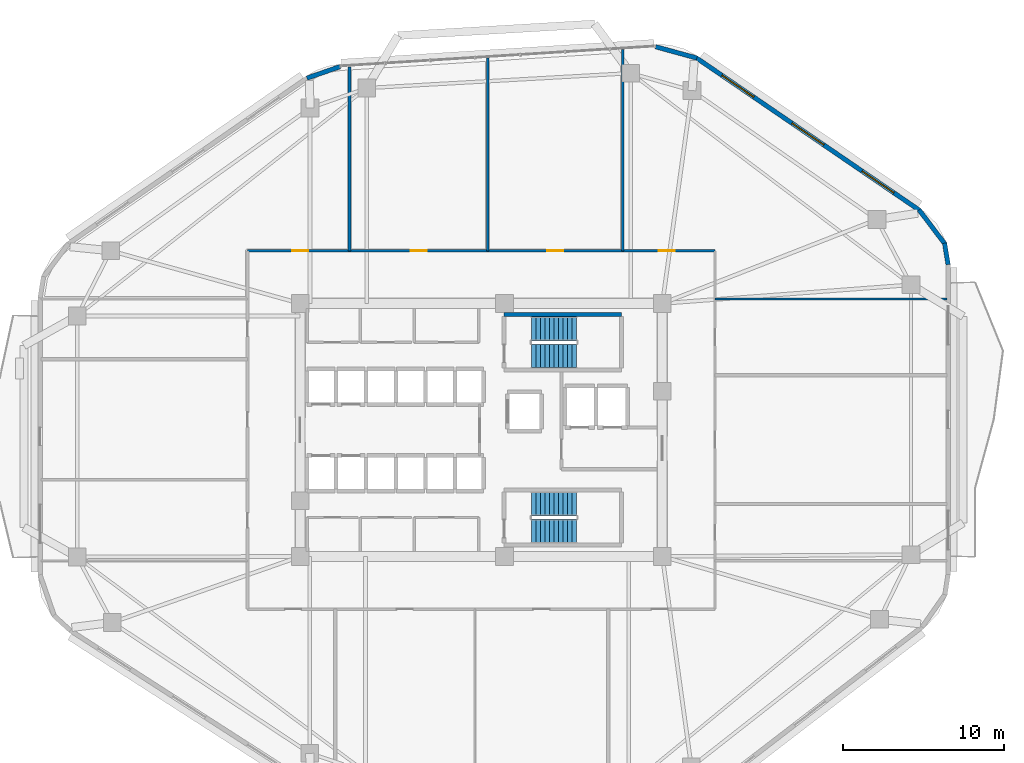
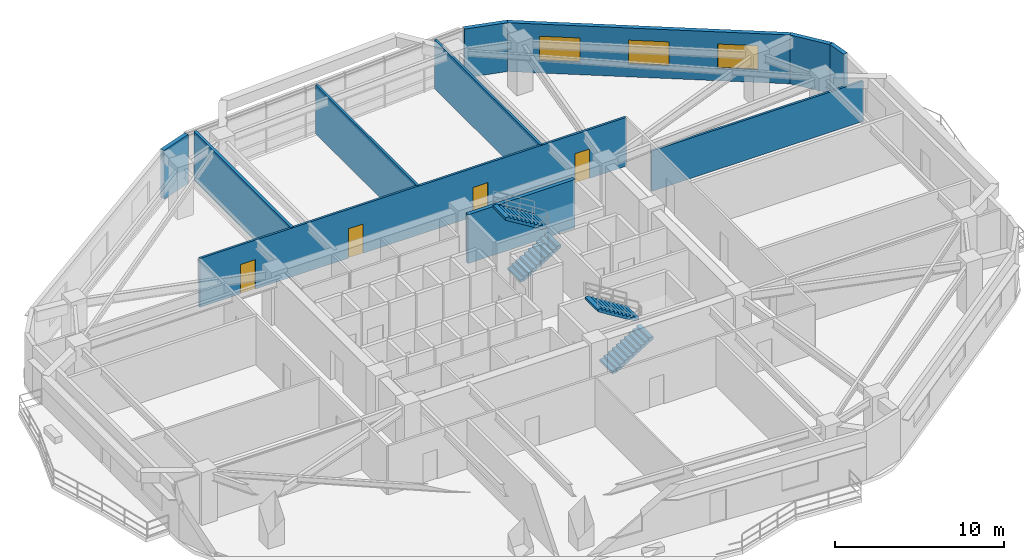
# One storey, part 10 of 13: 11 walls, 4 doors, 4 stair flights, 3 windows, 7 openings, 2 elements without a shape of their own.
"""IFC4 building model written with IfcOpenShell, lengths in metres."""

import ifcopenshell
import ifcopenshell.guid

model = None  # the IFC model being written
_history = None  # IfcOwnerHistory: only IFC2X3 demands one
_inside = {}  # id of a spatial element -> (the spatial element, [elements in it])
_under = {}  # id of a project, library or spatial element -> (it, [spatial elements below it])
_declared = {}  # id of a project -> (the project, [libraries it declares])
_typed = {}  # id of a type object -> (the type object, [elements of that type])
_made_of = {}  # id of a material, layer set ... -> (it, [elements and type objects made of it])


def new_model(schema):
    """Start an empty IFC model of exactly this schema.

    Asked for "IFC4X3", IfcOpenShell would pick the latest addendum, in which some entities
    have other attributes; the version numbers below select the first issue.
    IFC2X3 requires an IfcOwnerHistory on every rooted entity: one is made here for all.
    """
    global model, _history
    if schema == "IFC4X3":
        model = ifcopenshell.file(schema_version=(4, 3, 0, 0))
    else:
        model = ifcopenshell.file(schema=schema)
    _inside.clear()
    _under.clear()
    _declared.clear()
    _typed.clear()
    _made_of.clear()
    _history = None
    if model.schema == "IFC2X3":
        org = make("IfcOrganization", Name="unknown")
        user = make(
            "IfcPersonAndOrganization",
            ThePerson=make("IfcPerson", FamilyName="unknown"),
            TheOrganization=org,
        )
        app = make(
            "IfcApplication",
            ApplicationDeveloper=org,
            Version="unknown",
            ApplicationFullName="unknown",
            ApplicationIdentifier="unknown",
        )
        _history = make(
            "IfcOwnerHistory",
            OwningUser=user,
            OwningApplication=app,
            ChangeAction="ADDED",
            CreationDate=0,
        )
    return model


def make(cls, **values):
    """One entity of the class cls with the attributes given. An attribute that is None is left unset."""
    return model.create_entity(
        cls, **{name: value for name, value in values.items() if value is not None}
    )


def rooted(cls, **values):
    """An entity with a GlobalId (a new one), such as an element, a storey or a relation."""
    return make(cls, GlobalId=ifcopenshell.guid.new(), OwnerHistory=_history, **values)


def si_unit(unit_type, name, prefix=None):
    """IfcSIUnit, for example si_unit("LENGTHUNIT", "METRE", prefix="MILLI")."""
    return make("IfcSIUnit", UnitType=unit_type, Prefix=prefix, Name=name)


def assignment(units):
    """IfcUnitAssignment: the units of a project."""
    return None if units is None else make("IfcUnitAssignment", Units=units)


def point(xyz):
    """IfcCartesianPoint."""
    return None if xyz is None else make("IfcCartesianPoint", Coordinates=xyz)


def direction(xyz):
    """IfcDirection."""
    return None if xyz is None else make("IfcDirection", DirectionRatios=xyz)


def frame(location, z_axis=None, x_axis=None):
    """IfcAxis2Placement3D, a coordinate frame: its origin and axes. An axis left out is left unset."""
    return make(
        "IfcAxis2Placement3D",
        Location=point(location),
        Axis=direction(z_axis),
        RefDirection=direction(x_axis),
    )


def frame_2d(location, x_axis=None):
    """IfcAxis2Placement2D, a coordinate frame in the plane: its origin and x axis."""
    return make(
        "IfcAxis2Placement2D", Location=point(location), RefDirection=direction(x_axis)
    )


def origin():
    """The frame at (0, 0, 0) with its axes left unset."""
    return frame((0.0, 0.0, 0.0))


def place(relative_to, where):
    """IfcLocalPlacement: puts the frame where relative to a parent placement (None: the world)."""
    return make(
        "IfcLocalPlacement", PlacementRelTo=relative_to, RelativePlacement=where
    )


def context(
    kind, dimensions, precision=None, world=None, true_north=None, identifier=None
):
    """IfcGeometricRepresentationContext, for example the 3D "Model" context."""
    return make(
        "IfcGeometricRepresentationContext",
        ContextIdentifier=identifier,
        ContextType=kind,
        CoordinateSpaceDimension=dimensions,
        Precision=precision,
        WorldCoordinateSystem=world,
        TrueNorth=true_north,
    )


def subcontext(parent, identifier, kind, view, scale=None):
    """IfcGeometricRepresentationSubContext, for example "Body" below "Model"."""
    return make(
        "IfcGeometricRepresentationSubContext",
        ContextIdentifier=identifier,
        ContextType=kind,
        ParentContext=parent,
        TargetScale=scale,
        TargetView=view,
    )


def project(units=None, contexts=None):
    """IfcProject with its units and contexts."""
    return rooted(
        "IfcProject",
        Name="project",
        RepresentationContexts=contexts,
        UnitsInContext=assignment(units),
    )


def spatial(cls, under=None, at=None, **own):
    """A site, building, storey or space (cls), placed at a placement, below another one or the project."""
    s = rooted(cls, ObjectPlacement=at, **own)
    if under is not None:
        _under.setdefault(under.id(), (under, []))[1].append(s)
    return s


def polyline(points):
    """IfcPolyline through the points."""
    return make("IfcPolyline", Points=[point(p) for p in points])


def profile(cls, at=None, kind="AREA", **sizes):
    """A parametric profile (cls). Its sizes go by their IFC names, for example OverallWidth=200.0."""
    return make(cls, ProfileType=kind, Position=at, **sizes)


def rectangle(**sizes):
    """IfcRectangleProfileDef."""
    return profile("IfcRectangleProfileDef", **sizes)


def outline(outer, holes=None, kind="AREA"):
    """IfcArbitraryClosedProfileDef: a profile drawn as a closed curve; with holes, ...WithVoids."""
    if holes is None:
        return make("IfcArbitraryClosedProfileDef", ProfileType=kind, OuterCurve=outer)
    return make(
        "IfcArbitraryProfileDefWithVoids",
        ProfileType=kind,
        OuterCurve=outer,
        InnerCurves=holes,
    )


def extrude(swept, where, along, depth):
    """IfcExtrudedAreaSolid: the profile swept, set in the frame where, extruded along a direction by depth."""
    return make(
        "IfcExtrudedAreaSolid",
        SweptArea=swept,
        Position=where,
        ExtrudedDirection=direction(along),
        Depth=depth,
    )


def shape(context_of_items, identifier, shape_type, items):
    """IfcShapeRepresentation: the items that make up one representation, for example the "Body"."""
    return make(
        "IfcShapeRepresentation",
        ContextOfItems=context_of_items,
        RepresentationIdentifier=identifier,
        RepresentationType=shape_type,
        Items=items,
    )


def material(Name=None, Category=None):
    """IfcMaterial."""
    return make("IfcMaterial", Name=Name, Category=Category)


def layer(
    of_material, thickness, ventilated=None, Name=None, Category=None, Priority=None
):
    """IfcMaterialLayer: one layer of a wall or slab, of a material (None: an air gap)."""
    return make(
        "IfcMaterialLayer",
        Material=of_material,
        LayerThickness=thickness,
        IsVentilated=ventilated,
        Name=Name,
        Category=Category,
        Priority=Priority,
    )


def layer_set(layers, Name=None):
    """IfcMaterialLayerSet."""
    return make("IfcMaterialLayerSet", MaterialLayers=layers, LayerSetName=Name)


def made_of(thing, what):
    """Note that an element or type object is made of a material, layer set ...; save() writes the relation."""
    if what is not None:
        _made_of.setdefault(what.id(), (what, []))[1].append(thing)
    return thing


def type_object(cls, material=None, **own):
    """A type object (cls), such as IfcWallType, which elements share."""
    return made_of(rooted(cls, **own), material)


def element(
    cls,
    number,
    at=None,
    inside=None,
    cuts=None,
    type_object=None,
    material=None,
    context=None,
    identifier="Body",
    shape_type=None,
    held_by="IfcProductDefinitionShape",
    body=None,
    shapes=None,
    **own,
):
    """One element of the class cls, such as IfcWall. Its Tag is "e" and its number.

    at: its placement. inside: the storey or other place that contains it. cuts: it is an
    opening in that element (IfcRelVoidsElement). A single representation is given by context,
    identifier, shape_type and body (its items); several are given by shapes. held_by: the class
    of the entity that holds the representations. save() writes the other relations.
    """
    e = rooted(cls, Tag="e%d" % number, ObjectPlacement=at, **own)
    if body is not None:
        shapes = [shape(context, identifier, shape_type, body)]
    if shapes is not None:
        e.Representation = make(held_by, Representations=shapes)
    if inside is not None:
        _inside.setdefault(inside.id(), (inside, []))[1].append(e)
    if cuts is not None:
        rooted(
            "IfcRelVoidsElement", RelatingBuildingElement=cuts, RelatedOpeningElement=e
        )
    if type_object is not None:
        _typed.setdefault(type_object.id(), (type_object, []))[1].append(e)
    return made_of(e, material)


def fill(opening, filler):
    """IfcRelFillsElement: the door or window that sits in an opening."""
    return rooted(
        "IfcRelFillsElement",
        RelatingOpeningElement=opening,
        RelatedBuildingElement=filler,
    )


def aggregate(whole, parts):
    """IfcRelAggregates: a whole, such as a stair, and the parts it consists of."""
    return rooted("IfcRelAggregates", RelatingObject=whole, RelatedObjects=parts)


def save(model, path):
    """Write the relations noted so far, then the file.

    IfcRelAggregates (storeys below a building ...), IfcRelContainedInSpatialStructure (elements
    in a storey), IfcRelDefinesByType, IfcRelAssociatesMaterial and IfcRelDeclares: one each for
    every whole, place, type object, material and project.
    """
    for whole, parts in _under.values():
        aggregate(whole, parts)
    for where, things in _inside.values():
        rooted(
            "IfcRelContainedInSpatialStructure",
            RelatedElements=things,
            RelatingStructure=where,
        )
    for kind, things in _typed.values():
        rooted("IfcRelDefinesByType", RelatedObjects=things, RelatingType=kind)
    for what, things in _made_of.values():
        rooted("IfcRelAssociatesMaterial", RelatedObjects=things, RelatingMaterial=what)
    for by, libraries in _declared.values():
        rooted("IfcRelDeclares", RelatingContext=by, RelatedDefinitions=libraries)
    model.write(path)


model = new_model("IFC4")

# Units and contexts
model_context = context("Model", 3, precision=1e-05, world=origin(), true_north=direction((0.0, 1.0)))
body_context = subcontext(model_context, "Body", "Model", "MODEL_VIEW")
ifc_project = project(units=[si_unit("LENGTHUNIT", "METRE"), si_unit("AREAUNIT", "SQUARE_METRE"), si_unit("VOLUMEUNIT", "CUBIC_METRE"), si_unit("PLANEANGLEUNIT", "RADIAN"), si_unit("MASSUNIT", "GRAM", prefix="KILO")], contexts=[model_context])

# Site, building, storey
site_placement = place(None, origin())
site = spatial("IfcSite", under=ifc_project, at=site_placement, CompositionType="ELEMENT")
building_placement = place(site_placement, origin())
building = spatial("IfcBuilding", under=site, at=building_placement, Name="Zulverin Broadcast Headquarters", CompositionType="ELEMENT")
storey_placement = place(building_placement, frame((0.0, 0.0, 101.0)))
storey = spatial("IfcBuildingStorey", under=building, at=storey_placement, Name="L25", CompositionType="ELEMENT", Elevation=101.0)

# Wall
ifc_material_1 = material(Name="Acoustic drywall steel stud", Category="steel")
ifc_layer_1 = layer(ifc_material_1, 0.199951171875, Name="Acoustic drywall steel stud", Category="steel")
ifc_layer_set_1 = layer_set([ifc_layer_1], Name="Acoustic drywall steel stud")
wall_type_1 = type_object("IfcWallType", Name="WL-ACOU-200", PredefinedType="PARTITIONING", material=ifc_layer_set_1)
wall_1_placement = place(storey_placement, frame((28.800048828125, 36.35009765625, 0.0), z_axis=(0.0, 0.0, 1.0), x_axis=(0.0, 1.0, 0.0)))
element("IfcWall", 1, at=wall_1_placement, inside=storey, type_object=wall_type_1, Name="L25 Room Partition Wall RP-06", PredefinedType="PARTITIONING", context=body_context, shape_type="SweptSolid", body=[
    extrude(rectangle(XDim=11.454345703125, YDim=0.199951171875, at=frame_2d((5.72705078125, 0.0))), origin(), (0.0, 0.0, 1.0), 3.52490234375),
])

# Wall, openings, windows
ifc_material_2 = material(Name="Insulated pale-metal clad concrete spandrel C40/50", Category="concrete")
ifc_layer_2 = layer(ifc_material_2, 0.280029296875, Name="Insulated pale-metal clad concrete spandrel C40/50", Category="concrete")
ifc_layer_set_2 = layer_set([ifc_layer_2], Name="Insulated pale-metal clad concrete spandrel C40/50")
wall_type_2 = type_object("IfcWallType", Name="WL-EXT-280", PredefinedType="STANDARD", material=ifc_layer_set_2)
wall_2_placement = place(storey_placement, frame((64.289794921875, 38.8671875, 0.0), z_axis=(0.0, 0.0, 1.0), x_axis=(-0.825755550159, 0.564028165416, 0.0)))
wall_2 = element("IfcWall", 2, at=wall_2_placement, inside=storey, type_object=wall_type_2, Name="L25 Pale-Metal Clad Spandrel Wall 4", PredefinedType="STANDARD", context=body_context, shape_type="SweptSolid", body=[
    extrude(rectangle(XDim=16.848388671875, YDim=0.280029296875, at=frame_2d((8.42431640625, 0.0))), origin(), (0.0, 0.0, 1.0), 3.52490234375),
])
opening_1_placement = place(wall_2_placement, frame((1.94140625, 0.0, 0.89990234375)))
opening_1 = element("IfcOpeningElement", 3, at=opening_1_placement, cuts=wall_2, Name="Opening W-L25-E41", PredefinedType="OPENING", context=body_context, shape_type="SweptSolid", body=[
    extrude(rectangle(XDim=2.39990234375, YDim=1.75, at=frame_2d((1.199951171875, 0.875))), frame((0.0, 0.14990234375, 0.0), z_axis=(0.0, -1.0, 0.0), x_axis=(1.0, 0.0, 0.0)), (0.0, 0.0, 1.0), 0.300048828125),
])
opening_2_placement = place(wall_2_placement, frame((7.22412109375, 0.0, 0.89990234375)))
opening_2 = element("IfcOpeningElement", 4, at=opening_2_placement, cuts=wall_2, Name="Opening W-L25-E42", PredefinedType="OPENING", context=body_context, shape_type="SweptSolid", body=[
    extrude(rectangle(XDim=2.39990234375, YDim=1.75, at=frame_2d((1.199951171875, 0.875))), frame((0.0, 0.14990234375, 0.0), z_axis=(0.0, -1.0, 0.0), x_axis=(1.0, 0.0, 0.0)), (0.0, 0.0, 1.0), 0.300048828125),
])
opening_3_placement = place(wall_2_placement, frame((12.5068359375, 0.0, 0.89990234375)))
opening_3 = element("IfcOpeningElement", 5, at=opening_3_placement, cuts=wall_2, Name="Opening W-L25-E43", PredefinedType="OPENING", context=body_context, shape_type="SweptSolid", body=[
    extrude(rectangle(XDim=2.39990234375, YDim=1.75, at=frame_2d((1.199951171875, 0.875))), frame((0.0, 0.14990234375, 0.0), z_axis=(0.0, -1.0, 0.0), x_axis=(1.0, 0.0, 0.0)), (0.0, 0.0, 1.0), 0.300048828125),
])
ifc_material_3 = material(Name="Pale anodized aluminium frame with solar-control low-E double glazing", Category="aluminium")
window_type = type_object("IfcWindowType", Name="WIN-RIB-2400", PartitioningType="SINGLE_PANEL", PredefinedType="WINDOW", material=ifc_material_3)
window_1_placement = place(opening_1_placement, origin())
window_1 = element("IfcWindow", 6, at=window_1_placement, inside=storey, type_object=window_type, Name="L25 Ribbon Glazing Window 4 1", OverallHeight=1.75, OverallWidth=2.39990234375, PartitioningType="SINGLE_PANEL", PredefinedType="WINDOW", context=body_context, shape_type="SweptSolid", body=[
    extrude(rectangle(XDim=2.39990234375, YDim=1.75, at=frame_2d((1.199951171875, 0.875))), frame((0.0, 0.030029296875, 0.0), z_axis=(0.0, -1.0, 0.0), x_axis=(1.0, 0.0, 0.0)), (0.0, 0.0, 1.0), 0.06005859375),
])
fill(opening_1, window_1)
window_2_placement = place(opening_2_placement, origin())
window_2 = element("IfcWindow", 7, at=window_2_placement, inside=storey, type_object=window_type, Name="L25 Ribbon Glazing Window 4 2", OverallHeight=1.75, OverallWidth=2.39990234375, PartitioningType="SINGLE_PANEL", PredefinedType="WINDOW", context=body_context, shape_type="SweptSolid", body=[
    extrude(rectangle(XDim=2.39990234375, YDim=1.75, at=frame_2d((1.199951171875, 0.875))), frame((0.0, 0.030029296875, 0.0), z_axis=(0.0, -1.0, 0.0), x_axis=(1.0, 0.0, 0.0)), (0.0, 0.0, 1.0), 0.06005859375),
])
fill(opening_2, window_2)
window_3_placement = place(opening_3_placement, origin())
window_3 = element("IfcWindow", 8, at=window_3_placement, inside=storey, type_object=window_type, Name="L25 Ribbon Glazing Window 4 3", OverallHeight=1.75, OverallWidth=2.39990234375, PartitioningType="SINGLE_PANEL", PredefinedType="WINDOW", context=body_context, shape_type="SweptSolid", body=[
    extrude(rectangle(XDim=2.39990234375, YDim=1.75, at=frame_2d((1.199951171875, 0.875))), frame((0.0, 0.030029296875, 0.0), z_axis=(0.0, -1.0, 0.0), x_axis=(1.0, 0.0, 0.0)), (0.0, 0.0, 1.0), 0.06005859375),
])
fill(opening_3, window_3)

# Walls
wall_3_placement = place(storey_placement, frame((66.061767578125, 35.491943359375, 0.0), z_axis=(0.0, 0.0, 1.0), x_axis=(-0.161182073582, 0.986924687682, 0.0)))
element("IfcWall", 9, at=wall_3_placement, inside=storey, type_object=wall_type_2, Name="L25 Wind-Shaped Corner Spandrel Wall 3-1", PredefinedType="STANDARD", context=body_context, shape_type="SweptSolid", body=[
    extrude(rectangle(XDim=1.354248046875, YDim=0.280029296875, at=frame_2d((0.67724609375, 0.0))), origin(), (0.0, 0.0, 1.0), 3.52490234375),
])
wall_4_placement = place(storey_placement, frame((65.8701171875, 36.7666015625, 0.0), z_axis=(0.0, 0.0, 1.0), x_axis=(-0.603370463754, 0.797461023166, 0.0)))
element("IfcWall", 10, at=wall_4_placement, inside=storey, type_object=wall_type_2, Name="L25 Wind-Shaped Corner Spandrel Wall 3-2", PredefinedType="STANDARD", context=body_context, shape_type="SweptSolid", body=[
    extrude(rectangle(XDim=2.6728515625, YDim=0.280029296875, at=frame_2d((1.33642578125, 0.0))), origin(), (0.0, 0.0, 1.0), 3.52490234375),
])
wall_5_placement = place(storey_placement, frame((50.419189453125, 48.3505859375, 0.0), z_axis=(0.0, 0.0, 1.0), x_axis=(-0.964263320055, 0.264945748402, 0.0)))
element("IfcWall", 11, at=wall_5_placement, inside=storey, type_object=wall_type_2, Name="L25 Wind-Shaped Corner Spandrel Wall 4-1", PredefinedType="STANDARD", context=body_context, shape_type="SweptSolid", body=[
    extrude(rectangle(XDim=2.665771484375, YDim=0.280029296875, at=frame_2d((1.3330078125, 0.0))), origin(), (0.0, 0.0, 1.0), 3.52490234375),
])
wall_6_placement = place(storey_placement, frame((28.217041015625, 47.820068359375, 0.0), z_axis=(0.0, 0.0, 1.0), x_axis=(-0.944478751803, -0.328572499447, 0.0)))
element("IfcWall", 12, at=wall_6_placement, inside=storey, type_object=wall_type_2, Name="L25 Wind-Shaped Corner Spandrel Wall 5-1", PredefinedType="STANDARD", context=body_context, shape_type="SweptSolid", body=[
    extrude(rectangle(XDim=2.1904296875, YDim=0.280029296875, at=frame_2d((1.09521484375, 0.0))), origin(), (0.0, 0.0, 1.0), 3.52490234375),
])
ifc_material_4 = material(Name="Fire-rated gypsum stud partition", Category="gypsum")
ifc_layer_3 = layer(ifc_material_4, 0.14990234375, Name="Fire-rated gypsum stud partition", Category="gypsum")
ifc_layer_set_3 = layer_set([ifc_layer_3], Name="Fire-rated gypsum stud partition")
wall_type_3 = type_object("IfcWallType", Name="WL-PART-150", PredefinedType="PARTITIONING", material=ifc_layer_set_3)
wall_7_placement = place(storey_placement, frame((45.800048828125, 36.35009765625, 0.0), z_axis=(0.0, 0.0, 1.0), x_axis=(0.0, 1.0, 0.0)))
element("IfcWall", 13, at=wall_7_placement, inside=storey, type_object=wall_type_3, Name="L25 Room Partition Wall RP-02", PredefinedType="PARTITIONING", context=body_context, shape_type="SweptSolid", body=[
    extrude(rectangle(XDim=12.5263671875, YDim=0.14990234375, at=frame_2d((6.26318359375, 0.0))), origin(), (0.0, 0.0, 1.0), 3.52490234375),
])
wall_8_placement = place(storey_placement, frame((37.39990234375, 36.35009765625, 0.0), z_axis=(0.0, 0.0, 1.0), x_axis=(0.0, 1.0, 0.0)))
element("IfcWall", 14, at=wall_8_placement, inside=storey, type_object=wall_type_3, Name="L25 Room Partition Wall RP-04", PredefinedType="PARTITIONING", context=body_context, shape_type="SweptSolid", body=[
    extrude(rectangle(XDim=11.99658203125, YDim=0.14990234375, at=frame_2d((5.998291015625, 0.0))), origin(), (0.0, 0.0, 1.0), 3.52490234375),
])
wall_9_placement = place(storey_placement, frame((51.550048828125, 33.35009765625, 0.0), z_axis=(0.0, 0.0, 1.0), x_axis=(1.0, 0.0, 0.0)))
element("IfcWall", 15, at=wall_9_placement, inside=storey, type_object=wall_type_3, Name="L25 Room Partition Wall RP-17", PredefinedType="PARTITIONING", context=body_context, shape_type="SweptSolid", body=[
    extrude(rectangle(XDim=14.445068359375, YDim=0.14990234375, at=frame_2d((7.22265625, 0.0))), origin(), (0.0, 0.0, 1.0), 2.90771484375),
])

# Wall, openings, doors
wall_10_placement = place(storey_placement, frame((22.449951171875, 36.35009765625, 0.0), z_axis=(0.0, 0.0, 1.0), x_axis=(1.0, 0.0, 0.0)))
wall_10 = element("IfcWall", 16, at=wall_10_placement, inside=storey, type_object=wall_type_3, Name="L25 Gallery Partition Wall CG-18", PredefinedType="PARTITIONING", context=body_context, shape_type="SweptSolid", body=[
    extrude(rectangle(XDim=29.10009765625, YDim=0.14990234375, at=frame_2d((14.550048828125, 0.0))), origin(), (0.0, 0.0, 1.0), 3.52490234375),
])
opening_4_placement = place(wall_10_placement, frame((2.794921875, 0.0, 0.0)))
opening_4 = element("IfcOpeningElement", 17, at=opening_4_placement, cuts=wall_10, Name="Opening D-L25-01", PredefinedType="OPENING", context=body_context, shape_type="SweptSolid", body=[
    extrude(rectangle(XDim=1.0, YDim=2.1201171875, at=frame_2d((0.5, 1.06005859375))), frame((0.0, 0.0849609375, 0.0), z_axis=(0.0, -1.0, 0.0), x_axis=(1.0, 0.0, 0.0)), (0.0, 0.0, 1.0), 0.169921875),
])
opening_5_placement = place(wall_10_placement, frame((10.14990234375, 0.0, 0.0)))
opening_5 = element("IfcOpeningElement", 18, at=opening_5_placement, cuts=wall_10, Name="Opening D-L25-02", PredefinedType="OPENING", context=body_context, shape_type="SweptSolid", body=[
    extrude(rectangle(XDim=1.0, YDim=2.1201171875, at=frame_2d((0.5, 1.06005859375))), frame((0.0, 0.0849609375, 0.0), z_axis=(0.0, -1.0, 0.0), x_axis=(1.0, 0.0, 0.0)), (0.0, 0.0, 1.0), 0.169921875),
])
opening_6_placement = place(wall_10_placement, frame((18.64990234375, 0.0, 0.0)))
opening_6 = element("IfcOpeningElement", 19, at=opening_6_placement, cuts=wall_10, Name="Opening D-L25-03", PredefinedType="OPENING", context=body_context, shape_type="SweptSolid", body=[
    extrude(rectangle(XDim=1.0, YDim=2.1201171875, at=frame_2d((0.5, 1.06005859375))), frame((0.0, 0.0849609375, 0.0), z_axis=(0.0, -1.0, 0.0), x_axis=(1.0, 0.0, 0.0)), (0.0, 0.0, 1.0), 0.169921875),
])
opening_7_placement = place(wall_10_placement, frame((25.60498046875, 0.0, 0.0)))
opening_7 = element("IfcOpeningElement", 20, at=opening_7_placement, cuts=wall_10, Name="Opening D-L25-04", PredefinedType="OPENING", context=body_context, shape_type="SweptSolid", body=[
    extrude(rectangle(XDim=1.0, YDim=2.1201171875, at=frame_2d((0.5, 1.06005859375))), frame((0.0, 0.0849609375, 0.0), z_axis=(0.0, -1.0, 0.0), x_axis=(1.0, 0.0, 0.0)), (0.0, 0.0, 1.0), 0.169921875),
])
ifc_material_5 = material(Name="Hardwood veneer acoustic leaf", Category="wood")
door_type = type_object("IfcDoorType", Name="DR-OFF-1000", OperationType="SINGLE_SWING_LEFT", PredefinedType="DOOR", material=ifc_material_5)
door_1_placement = place(opening_4_placement, origin())
door_1 = element("IfcDoor", 21, at=door_1_placement, inside=storey, type_object=door_type, Name="L25 Sports Broadcast Workplace Door", OperationType="SINGLE_SWING_RIGHT", OverallHeight=2.1201171875, OverallWidth=1.0, PredefinedType="DOOR", context=body_context, shape_type="SweptSolid", body=[
    extrude(rectangle(XDim=1.0, YDim=2.1201171875, at=frame_2d((0.5, 1.06005859375))), frame((0.0, 0.02490234375, 0.0), z_axis=(0.0, -1.0, 0.0), x_axis=(1.0, 0.0, 0.0)), (0.0, 0.0, 1.0), 0.050048828125),
])
fill(opening_4, door_1)
door_2_placement = place(opening_5_placement, origin())
door_2 = element("IfcDoor", 22, at=door_2_placement, inside=storey, type_object=door_type, Name="L25 Live Replay Office Door", OperationType="SINGLE_SWING_LEFT", OverallHeight=2.1201171875, OverallWidth=1.0, PredefinedType="DOOR", context=body_context, shape_type="SweptSolid", body=[
    extrude(rectangle(XDim=1.0, YDim=2.1201171875, at=frame_2d((0.5, 1.06005859375))), frame((0.0, 0.02490234375, 0.0), z_axis=(0.0, -1.0, 0.0), x_axis=(1.0, 0.0, 0.0)), (0.0, 0.0, 1.0), 0.050048828125),
])
fill(opening_5, door_2)
door_3_placement = place(opening_6_placement, origin())
door_3 = element("IfcDoor", 23, at=door_3_placement, inside=storey, type_object=door_type, Name="L25 Commentary Office Door", OperationType="SINGLE_SWING_RIGHT", OverallHeight=2.1201171875, OverallWidth=1.0, PredefinedType="DOOR", context=body_context, shape_type="SweptSolid", body=[
    extrude(rectangle(XDim=1.0, YDim=2.1201171875, at=frame_2d((0.5, 1.06005859375))), frame((0.0, 0.02490234375, 0.0), z_axis=(0.0, -1.0, 0.0), x_axis=(1.0, 0.0, 0.0)), (0.0, 0.0, 1.0), 0.050048828125),
])
fill(opening_6, door_3)
door_4_placement = place(opening_7_placement, origin())
door_4 = element("IfcDoor", 24, at=door_4_placement, inside=storey, type_object=door_type, Name="L25 Media Tech Office Door", OperationType="SINGLE_SWING_LEFT", OverallHeight=2.1201171875, OverallWidth=1.0, PredefinedType="DOOR", context=body_context, shape_type="SweptSolid", body=[
    extrude(rectangle(XDim=1.0, YDim=2.1201171875, at=frame_2d((0.5, 1.06005859375))), frame((0.0, 0.02490234375, 0.0), z_axis=(0.0, -1.0, 0.0), x_axis=(1.0, 0.0, 0.0)), (0.0, 0.0, 1.0), 0.050048828125),
])
fill(opening_7, door_4)

# Wall
ifc_material_6 = material(Name="Concrete C50/60", Category="concrete")
ifc_layer_4 = layer(ifc_material_6, 0.25, Name="Concrete C50/60", Category="concrete")
ifc_layer_set_4 = layer_set([ifc_layer_4], Name="Concrete C50/60")
wall_type_4 = type_object("IfcWallType", Name="WL-SHAFT-250", PredefinedType="SHEAR", material=ifc_layer_set_4)
wall_11_placement = place(storey_placement, frame((38.425048828125, 32.375, 0.0), z_axis=(0.0, 0.0, 1.0), x_axis=(1.0, 0.0, 0.0)))
element("IfcWall", 25, at=wall_11_placement, inside=storey, type_object=wall_type_4, Name="L25 ST-1 Enclosure Wall N", PredefinedType="SHEAR", context=body_context, shape_type="SweptSolid", body=[
    extrude(rectangle(XDim=7.300048828125, YDim=0.25, at=frame_2d((3.64990234375, 0.0))), origin(), (0.0, 0.0, 1.0), 3.52490234375),
])

# Stair, stair flights
ifc_material_7 = material(Name="Concrete C40/50", Category="concrete")
stair_type = type_object("IfcStairType", Name="ST-CORE-1500", PredefinedType="HALF_TURN_STAIR", material=ifc_material_7)
stair_1_placement = place(storey_placement, origin())
stair_1 = element("IfcStair", 26, at=stair_1_placement, inside=storey, type_object=stair_type, Name="L25 Core Exit Stair ST-1", PredefinedType="HALF_TURN_STAIR")
stair_flight_type = type_object("IfcStairFlightType", Name="SF-CORE-1500", PredefinedType="STRAIGHT", material=ifc_material_7)
stair_flight_1_placement = place(storey_placement, frame((40.1298828125, 29.800048828125, 0.0), z_axis=(0.0, 0.0, 1.0), x_axis=(1.0, 0.0, 0.0)))
stair_flight_1 = element("IfcStairFlight", 27, at=stair_flight_1_placement, type_object=stair_flight_type, Name="ST-1 flight 1", NumberOfRisers=11, NumberOfTreads=10, PredefinedType="STRAIGHT", RiserHeight=0.172727273, TreadLength=0.28, context=body_context, shape_type="SweptSolid", body=[
    extrude(outline(polyline([(0.0, 0.0), (0.0, 0.172607421875), (0.280029296875, 0.172607421875), (0.280029296875, 0.345458984375), (0.56005859375, 0.345458984375), (0.56005859375, 0.51806640625), (0.840087890625, 0.51806640625), (0.840087890625, 0.69091796875), (1.1201171875, 0.69091796875), (1.1201171875, 0.863525390625), (1.39990234375, 0.863525390625), (1.39990234375, 1.036376953125), (1.679931640625, 1.036376953125), (1.679931640625, 1.208984375), (1.9599609375, 1.208984375), (1.9599609375, 1.3818359375), (2.239990234375, 1.3818359375), (2.239990234375, 1.554443359375), (2.52001953125, 1.554443359375), (2.52001953125, 1.727294921875), (2.800048828125, 1.727294921875), (2.800048828125, 1.89990234375), (2.800048828125, 1.551025390625), (0.285400390625, 0.0), (0.0, 0.0)])), frame((0.0, 0.75, 0.0), z_axis=(0.0, -1.0, 0.0), x_axis=(1.0, 0.0, 0.0)), (0.0, 0.0, 1.0), 1.5),
])
stair_flight_2_placement = place(storey_placement, frame((42.929931640625, 31.5, 1.89990234375), z_axis=(0.0, 0.0, 1.0), x_axis=(-1.0, 0.0, 0.0)))
stair_flight_2 = element("IfcStairFlight", 28, at=stair_flight_2_placement, type_object=stair_flight_type, Name="ST-1 flight 2", NumberOfRisers=11, NumberOfTreads=10, PredefinedType="STRAIGHT", RiserHeight=0.172727273, TreadLength=0.28, context=body_context, shape_type="SweptSolid", body=[
    extrude(outline(polyline([(0.0, 0.0), (0.0, 0.172607421875), (0.280029296875, 0.172607421875), (0.280029296875, 0.345458984375), (0.56005859375, 0.345458984375), (0.56005859375, 0.51806640625), (0.840087890625, 0.51806640625), (0.840087890625, 0.69091796875), (1.1201171875, 0.69091796875), (1.1201171875, 0.863525390625), (1.39990234375, 0.863525390625), (1.39990234375, 1.036376953125), (1.679931640625, 1.036376953125), (1.679931640625, 1.208984375), (1.9599609375, 1.208984375), (1.9599609375, 1.3818359375), (2.239990234375, 1.3818359375), (2.239990234375, 1.554443359375), (2.52001953125, 1.554443359375), (2.52001953125, 1.727294921875), (2.800048828125, 1.727294921875), (2.800048828125, 1.89990234375), (2.800048828125, 1.551025390625), (0.285400390625, 0.0), (0.0, 0.0)])), frame((0.0, 0.75, 0.0), z_axis=(0.0, -1.0, 0.0), x_axis=(1.0, 0.0, 0.0)), (0.0, 0.0, 1.0), 1.5),
])
aggregate(stair_1, [stair_flight_1, stair_flight_2])

stair_2_placement = place(storey_placement, origin())
stair_2 = element("IfcStair", 29, at=stair_2_placement, inside=storey, type_object=stair_type, Name="L25 Core Exit Stair ST-2", PredefinedType="HALF_TURN_STAIR")
stair_flight_3_placement = place(storey_placement, frame((40.1298828125, 18.89990234375, 0.0), z_axis=(0.0, 0.0, 1.0), x_axis=(1.0, 0.0, 0.0)))
stair_flight_3 = element("IfcStairFlight", 30, at=stair_flight_3_placement, type_object=stair_flight_type, Name="ST-2 flight 1", NumberOfRisers=11, NumberOfTreads=10, PredefinedType="STRAIGHT", RiserHeight=0.172727273, TreadLength=0.28, context=body_context, shape_type="SweptSolid", body=[
    extrude(outline(polyline([(0.0, 0.0), (0.0, 0.172607421875), (0.280029296875, 0.172607421875), (0.280029296875, 0.345458984375), (0.56005859375, 0.345458984375), (0.56005859375, 0.51806640625), (0.840087890625, 0.51806640625), (0.840087890625, 0.69091796875), (1.1201171875, 0.69091796875), (1.1201171875, 0.863525390625), (1.39990234375, 0.863525390625), (1.39990234375, 1.036376953125), (1.679931640625, 1.036376953125), (1.679931640625, 1.208984375), (1.9599609375, 1.208984375), (1.9599609375, 1.3818359375), (2.239990234375, 1.3818359375), (2.239990234375, 1.554443359375), (2.52001953125, 1.554443359375), (2.52001953125, 1.727294921875), (2.800048828125, 1.727294921875), (2.800048828125, 1.89990234375), (2.800048828125, 1.551025390625), (0.285400390625, 0.0), (0.0, 0.0)])), frame((0.0, 0.75, 0.0), z_axis=(0.0, -1.0, 0.0), x_axis=(1.0, 0.0, 0.0)), (0.0, 0.0, 1.0), 1.5),
])
stair_flight_4_placement = place(storey_placement, frame((42.929931640625, 20.60009765625, 1.89990234375), z_axis=(0.0, 0.0, 1.0), x_axis=(-1.0, 0.0, 0.0)))
stair_flight_4 = element("IfcStairFlight", 31, at=stair_flight_4_placement, type_object=stair_flight_type, Name="ST-2 flight 2", NumberOfRisers=11, NumberOfTreads=10, PredefinedType="STRAIGHT", RiserHeight=0.172727273, TreadLength=0.28, context=body_context, shape_type="SweptSolid", body=[
    extrude(outline(polyline([(0.0, 0.0), (0.0, 0.172607421875), (0.280029296875, 0.172607421875), (0.280029296875, 0.345458984375), (0.56005859375, 0.345458984375), (0.56005859375, 0.51806640625), (0.840087890625, 0.51806640625), (0.840087890625, 0.69091796875), (1.1201171875, 0.69091796875), (1.1201171875, 0.863525390625), (1.39990234375, 0.863525390625), (1.39990234375, 1.036376953125), (1.679931640625, 1.036376953125), (1.679931640625, 1.208984375), (1.9599609375, 1.208984375), (1.9599609375, 1.3818359375), (2.239990234375, 1.3818359375), (2.239990234375, 1.554443359375), (2.52001953125, 1.554443359375), (2.52001953125, 1.727294921875), (2.800048828125, 1.727294921875), (2.800048828125, 1.89990234375), (2.800048828125, 1.551025390625), (0.285400390625, 0.0), (0.0, 0.0)])), frame((0.0, 0.75, 0.0), z_axis=(0.0, -1.0, 0.0), x_axis=(1.0, 0.0, 0.0)), (0.0, 0.0, 1.0), 1.5),
])
aggregate(stair_2, [stair_flight_3, stair_flight_4])

save(model, "model.ifc")
